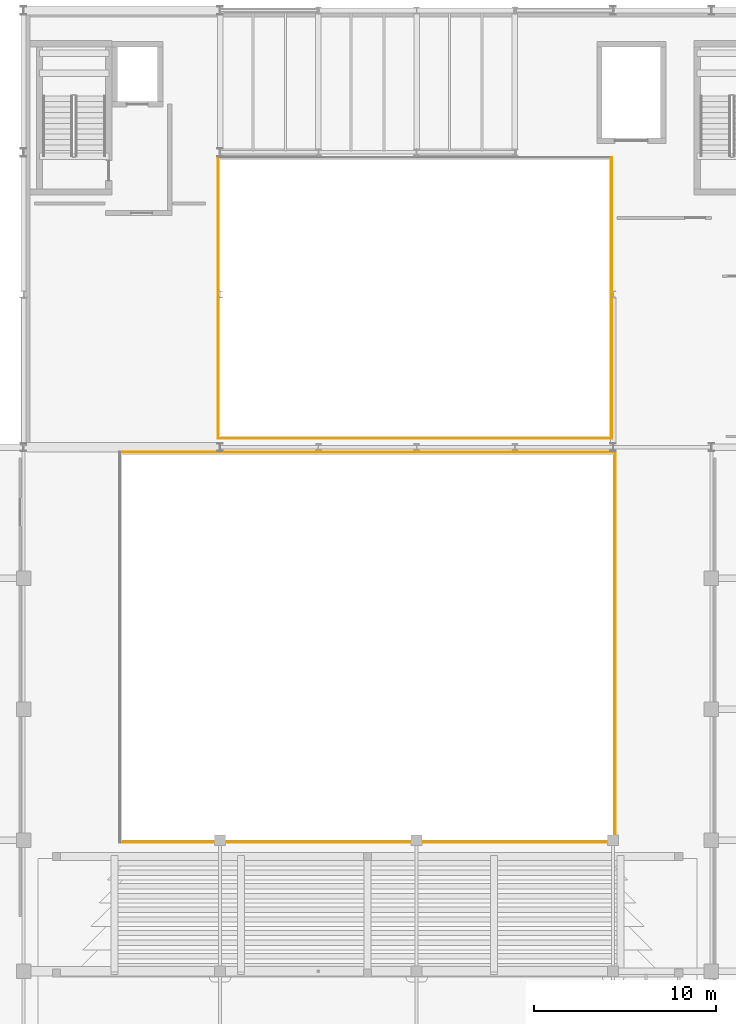
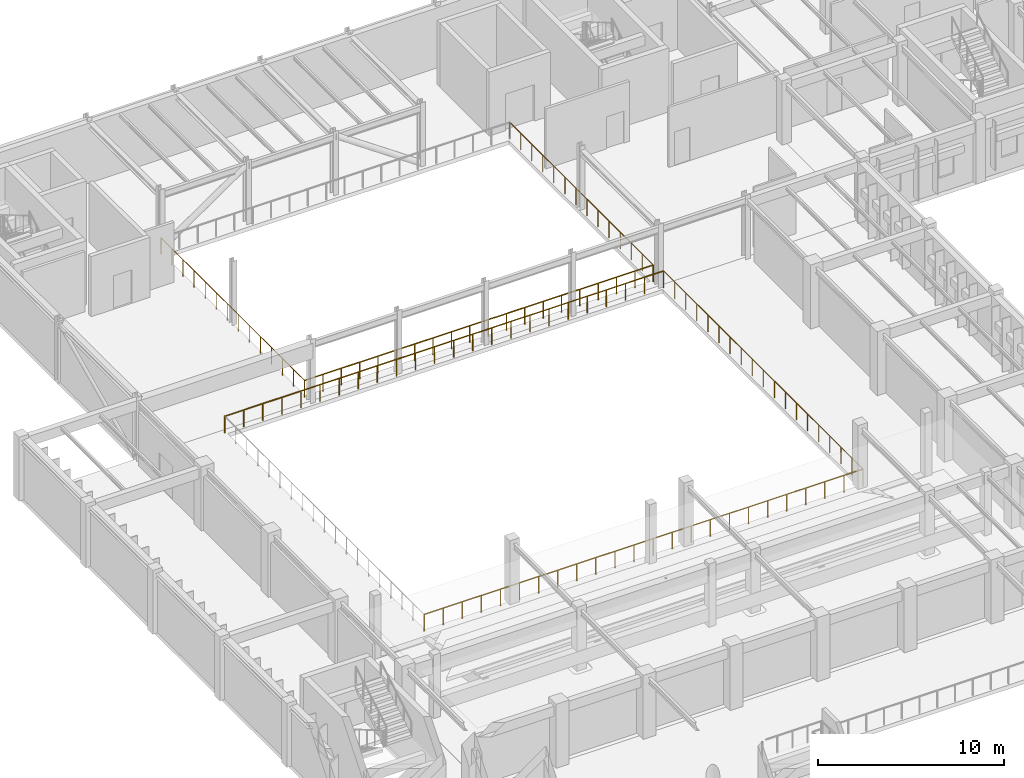
# One storey, part 117 of 122: 6 railings.
"""IFC4 building model written with IfcOpenShell, lengths in metres."""

from ifc_helpers import new_model, si_unit, direction, frame, origin, origin_2d, place, context, subcontext, project, spatial, circle, extrude, material, material_profile, profile_set, type_object, element, save


model = new_model("IFC4")

# Units and contexts
model_context = context("Model", 3, precision=1e-05, world=origin(), true_north=direction((0.0, 1.0)))
body_context = subcontext(model_context, "Body", "Model", "MODEL_VIEW")
ifc_project = project(units=[si_unit("LENGTHUNIT", "METRE"), si_unit("AREAUNIT", "SQUARE_METRE"), si_unit("VOLUMEUNIT", "CUBIC_METRE"), si_unit("PLANEANGLEUNIT", "RADIAN"), si_unit("MASSUNIT", "GRAM", prefix="KILO")], contexts=[model_context])

# Site, building, storey
site_placement = place(None, origin())
site = spatial("IfcSite", under=ifc_project, at=site_placement, CompositionType="ELEMENT")
building_placement = place(site_placement, origin())
building = spatial("IfcBuilding", under=site, at=building_placement, Name="Tazoul Stagehouse", CompositionType="ELEMENT")
storey_placement = place(building_placement, frame((0.0, 0.0, 4.800048828125)))
storey = spatial("IfcBuildingStorey", under=building, at=storey_placement, Name="L01", CompositionType="ELEMENT", Elevation=4.800048828125)

# Railings
ifc_material = material(Name="Brushed Stainless Steel 316L", Category="steel")
ifc_material_profile = material_profile(ifc_material, circle(Radius=0.02392578125, at=origin_2d()), Name="SS RAIL D48")
ifc_profile_set = profile_set([ifc_material_profile], Name="Brushed Stainless Steel 316L")
railing_type = type_object("IfcRailingType", Name="Architectural Guardrail H1120", PredefinedType="GUARDRAIL", material=ifc_profile_set)
railing_1_placement = place(storey_placement, frame((62.8798828125, 66.080078125, 0.0)))
element("IfcRailing", 1, at=railing_1_placement, inside=storey, type_object=railing_type, Name="L01 Open-Edge Guard GRD-01 (GRD-VOID1-S1)", PredefinedType="GUARDRAIL", context=body_context, shape_type="SweptSolid", body=[
    extrude(circle(Radius=0.02392578125, at=origin_2d()), frame((0.0, 0.0, 1.09619140625), z_axis=(1.0, 0.0, 0.0), x_axis=(0.0, 1.0, 0.0)), (0.0, 0.0, 1.0), 27.240234375),
    extrude(circle(Radius=0.02099609375, at=origin_2d()), origin(), (0.0, 0.0, 1.0), 1.072021484375),
    extrude(circle(Radius=0.02099609375, at=origin_2d()), frame((1.184326171875, 0.0, 0.0)), (0.0, 0.0, 1.0), 1.072021484375),
    extrude(circle(Radius=0.02099609375, at=origin_2d()), frame((2.36865234375, 0.0, 0.0)), (0.0, 0.0, 1.0), 1.072021484375),
    extrude(circle(Radius=0.02099609375, at=origin_2d()), frame((3.552978515625, 0.0, 0.0)), (0.0, 0.0, 1.0), 1.072021484375),
    extrude(circle(Radius=0.02099609375, at=origin_2d()), frame((4.737548828125, 0.0, 0.0)), (0.0, 0.0, 1.0), 1.072021484375),
    extrude(circle(Radius=0.02099609375, at=origin_2d()), frame((5.921875, 0.0, 0.0)), (0.0, 0.0, 1.0), 1.072021484375),
    extrude(circle(Radius=0.02099609375, at=origin_2d()), frame((7.106201171875, 0.0, 0.0)), (0.0, 0.0, 1.0), 1.072021484375),
    extrude(circle(Radius=0.02099609375, at=origin_2d()), frame((8.29052734375, 0.0, 0.0)), (0.0, 0.0, 1.0), 1.072021484375),
    extrude(circle(Radius=0.02099609375, at=origin_2d()), frame((9.474853515625, 0.0, 0.0)), (0.0, 0.0, 1.0), 1.072021484375),
    extrude(circle(Radius=0.02099609375, at=origin_2d()), frame((10.6591796875, 0.0, 0.0)), (0.0, 0.0, 1.0), 1.072021484375),
    extrude(circle(Radius=0.02099609375, at=origin_2d()), frame((11.843505859375, 0.0, 0.0)), (0.0, 0.0, 1.0), 1.072021484375),
    extrude(circle(Radius=0.02099609375, at=origin_2d()), frame((13.02783203125, 0.0, 0.0)), (0.0, 0.0, 1.0), 1.072021484375),
    extrude(circle(Radius=0.02099609375, at=origin_2d()), frame((14.21240234375, 0.0, 0.0)), (0.0, 0.0, 1.0), 1.072021484375),
    extrude(circle(Radius=0.02099609375, at=origin_2d()), frame((15.396728515625, 0.0, 0.0)), (0.0, 0.0, 1.0), 1.072021484375),
    extrude(circle(Radius=0.02099609375, at=origin_2d()), frame((16.5810546875, 0.0, 0.0)), (0.0, 0.0, 1.0), 1.072021484375),
    extrude(circle(Radius=0.02099609375, at=origin_2d()), frame((17.765380859375, 0.0, 0.0)), (0.0, 0.0, 1.0), 1.072021484375),
    extrude(circle(Radius=0.02099609375, at=origin_2d()), frame((18.94970703125, 0.0, 0.0)), (0.0, 0.0, 1.0), 1.072021484375),
    extrude(circle(Radius=0.02099609375, at=origin_2d()), frame((20.134033203125, 0.0, 0.0)), (0.0, 0.0, 1.0), 1.072021484375),
    extrude(circle(Radius=0.02099609375, at=origin_2d()), frame((21.318359375, 0.0, 0.0)), (0.0, 0.0, 1.0), 1.072021484375),
    extrude(circle(Radius=0.02099609375, at=origin_2d()), frame((22.502685546875, 0.0, 0.0)), (0.0, 0.0, 1.0), 1.072021484375),
    extrude(circle(Radius=0.02099609375, at=origin_2d()), frame((23.687255859375, 0.0, 0.0)), (0.0, 0.0, 1.0), 1.072021484375),
    extrude(circle(Radius=0.02099609375, at=origin_2d()), frame((24.87158203125, 0.0, 0.0)), (0.0, 0.0, 1.0), 1.072021484375),
    extrude(circle(Radius=0.02099609375, at=origin_2d()), frame((26.055908203125, 0.0, 0.0)), (0.0, 0.0, 1.0), 1.072021484375),
    extrude(circle(Radius=0.02099609375, at=origin_2d()), frame((27.240234375, 0.0, 0.0)), (0.0, 0.0, 1.0), 1.072021484375),
])
railing_2_placement = place(storey_placement, frame((90.1201171875, 66.080078125, 0.0)))
element("IfcRailing", 2, at=railing_2_placement, inside=storey, type_object=railing_type, Name="L01 Open-Edge Guard GRD-01 (GRD-VOID1-E1)", PredefinedType="GUARDRAIL", context=body_context, shape_type="SweptSolid", body=[
    extrude(circle(Radius=0.02392578125, at=origin_2d()), frame((0.0, 0.0, 1.09619140625), z_axis=(0.0, 1.0, 0.0), x_axis=(-1.0, 0.0, 0.0)), (0.0, 0.0, 1.0), 21.43994140625),
    extrude(circle(Radius=0.02099609375, at=origin_2d()), origin(), (0.0, 0.0, 1.0), 1.072021484375),
    extrude(circle(Radius=0.02099609375, at=origin_2d()), frame((0.0, 1.191162109375, 0.0)), (0.0, 0.0, 1.0), 1.072021484375),
    extrude(circle(Radius=0.02099609375, at=origin_2d()), frame((0.0, 2.38232421875, 0.0)), (0.0, 0.0, 1.0), 1.072021484375),
    extrude(circle(Radius=0.02099609375, at=origin_2d()), frame((0.0, 3.5732421875, 0.0)), (0.0, 0.0, 1.0), 1.072021484375),
    extrude(circle(Radius=0.02099609375, at=origin_2d()), frame((0.0, 4.764404296875, 0.0)), (0.0, 0.0, 1.0), 1.072021484375),
    extrude(circle(Radius=0.02099609375, at=origin_2d()), frame((0.0, 5.95556640625, 0.0)), (0.0, 0.0, 1.0), 1.072021484375),
    extrude(circle(Radius=0.02099609375, at=origin_2d()), frame((0.0, 7.146728515625, 0.0)), (0.0, 0.0, 1.0), 1.072021484375),
    extrude(circle(Radius=0.02099609375, at=origin_2d()), frame((0.0, 8.337646484375, 0.0)), (0.0, 0.0, 1.0), 1.072021484375),
    extrude(circle(Radius=0.02099609375, at=origin_2d()), frame((0.0, 9.52880859375, 0.0)), (0.0, 0.0, 1.0), 1.072021484375),
    extrude(circle(Radius=0.02099609375, at=origin_2d()), frame((0.0, 10.719970703125, 0.0)), (0.0, 0.0, 1.0), 1.072021484375),
    extrude(circle(Radius=0.02099609375, at=origin_2d()), frame((0.0, 11.9111328125, 0.0)), (0.0, 0.0, 1.0), 1.072021484375),
    extrude(circle(Radius=0.02099609375, at=origin_2d()), frame((0.0, 13.102294921875, 0.0)), (0.0, 0.0, 1.0), 1.072021484375),
    extrude(circle(Radius=0.02099609375, at=origin_2d()), frame((0.0, 14.293212890625, 0.0)), (0.0, 0.0, 1.0), 1.072021484375),
    extrude(circle(Radius=0.02099609375, at=origin_2d()), frame((0.0, 15.484375, 0.0)), (0.0, 0.0, 1.0), 1.072021484375),
    extrude(circle(Radius=0.02099609375, at=origin_2d()), frame((0.0, 16.675537109375, 0.0)), (0.0, 0.0, 1.0), 1.072021484375),
    extrude(circle(Radius=0.02099609375, at=origin_2d()), frame((0.0, 17.86669921875, 0.0)), (0.0, 0.0, 1.0), 1.072021484375),
    extrude(circle(Radius=0.02099609375, at=origin_2d()), frame((0.0, 19.0576171875, 0.0)), (0.0, 0.0, 1.0), 1.072021484375),
    extrude(circle(Radius=0.02099609375, at=origin_2d()), frame((0.0, 20.248779296875, 0.0)), (0.0, 0.0, 1.0), 1.072021484375),
    extrude(circle(Radius=0.02099609375, at=origin_2d()), frame((0.0, 21.43994140625, 0.0)), (0.0, 0.0, 1.0), 1.072021484375),
])
railing_3_placement = place(storey_placement, frame((90.1201171875, 87.52001953125, 0.0)))
element("IfcRailing", 3, at=railing_3_placement, inside=storey, type_object=railing_type, Name="L01 Open-Edge Guard GRD-01 (GRD-VOID1-N1)", PredefinedType="GUARDRAIL", context=body_context, shape_type="SweptSolid", body=[
    extrude(circle(Radius=0.02392578125, at=origin_2d()), frame((0.0, 0.0, 1.09619140625), z_axis=(-1.0, 0.0, 0.0), x_axis=(0.0, -1.0, 0.0)), (0.0, 0.0, 1.0), 27.240234375),
    extrude(circle(Radius=0.02099609375, at=origin_2d()), origin(), (0.0, 0.0, 1.0), 1.072021484375),
    extrude(circle(Radius=0.02099609375, at=origin_2d()), frame((-1.184326171875, 0.0, 0.0)), (0.0, 0.0, 1.0), 1.072021484375),
    extrude(circle(Radius=0.02099609375, at=origin_2d()), frame((-2.36865234375, 0.0, 0.0)), (0.0, 0.0, 1.0), 1.072021484375),
    extrude(circle(Radius=0.02099609375, at=origin_2d()), frame((-3.552978515625, 0.0, 0.0)), (0.0, 0.0, 1.0), 1.072021484375),
    extrude(circle(Radius=0.02099609375, at=origin_2d()), frame((-4.737548828125, 0.0, 0.0)), (0.0, 0.0, 1.0), 1.072021484375),
    extrude(circle(Radius=0.02099609375, at=origin_2d()), frame((-5.921875, 0.0, 0.0)), (0.0, 0.0, 1.0), 1.072021484375),
    extrude(circle(Radius=0.02099609375, at=origin_2d()), frame((-7.106201171875, 0.0, 0.0)), (0.0, 0.0, 1.0), 1.072021484375),
    extrude(circle(Radius=0.02099609375, at=origin_2d()), frame((-8.29052734375, 0.0, 0.0)), (0.0, 0.0, 1.0), 1.072021484375),
    extrude(circle(Radius=0.02099609375, at=origin_2d()), frame((-9.474853515625, 0.0, 0.0)), (0.0, 0.0, 1.0), 1.072021484375),
    extrude(circle(Radius=0.02099609375, at=origin_2d()), frame((-10.6591796875, 0.0, 0.0)), (0.0, 0.0, 1.0), 1.072021484375),
    extrude(circle(Radius=0.02099609375, at=origin_2d()), frame((-11.843505859375, 0.0, 0.0)), (0.0, 0.0, 1.0), 1.072021484375),
    extrude(circle(Radius=0.02099609375, at=origin_2d()), frame((-13.02783203125, 0.0, 0.0)), (0.0, 0.0, 1.0), 1.072021484375),
    extrude(circle(Radius=0.02099609375, at=origin_2d()), frame((-14.21240234375, 0.0, 0.0)), (0.0, 0.0, 1.0), 1.072021484375),
    extrude(circle(Radius=0.02099609375, at=origin_2d()), frame((-15.396728515625, 0.0, 0.0)), (0.0, 0.0, 1.0), 1.072021484375),
    extrude(circle(Radius=0.02099609375, at=origin_2d()), frame((-16.5810546875, 0.0, 0.0)), (0.0, 0.0, 1.0), 1.072021484375),
    extrude(circle(Radius=0.02099609375, at=origin_2d()), frame((-17.765380859375, 0.0, 0.0)), (0.0, 0.0, 1.0), 1.072021484375),
    extrude(circle(Radius=0.02099609375, at=origin_2d()), frame((-18.94970703125, 0.0, 0.0)), (0.0, 0.0, 1.0), 1.072021484375),
    extrude(circle(Radius=0.02099609375, at=origin_2d()), frame((-20.134033203125, 0.0, 0.0)), (0.0, 0.0, 1.0), 1.072021484375),
    extrude(circle(Radius=0.02099609375, at=origin_2d()), frame((-21.318359375, 0.0, 0.0)), (0.0, 0.0, 1.0), 1.072021484375),
    extrude(circle(Radius=0.02099609375, at=origin_2d()), frame((-22.502685546875, 0.0, 0.0)), (0.0, 0.0, 1.0), 1.072021484375),
    extrude(circle(Radius=0.02099609375, at=origin_2d()), frame((-23.687255859375, 0.0, 0.0)), (0.0, 0.0, 1.0), 1.072021484375),
    extrude(circle(Radius=0.02099609375, at=origin_2d()), frame((-24.87158203125, 0.0, 0.0)), (0.0, 0.0, 1.0), 1.072021484375),
    extrude(circle(Radius=0.02099609375, at=origin_2d()), frame((-26.055908203125, 0.0, 0.0)), (0.0, 0.0, 1.0), 1.072021484375),
    extrude(circle(Radius=0.02099609375, at=origin_2d()), frame((-27.240234375, 0.0, 0.0)), (0.0, 0.0, 1.0), 1.072021484375),
])
railing_4_placement = place(storey_placement, frame((68.280029296875, 88.280029296875, 0.0)))
element("IfcRailing", 4, at=railing_4_placement, inside=storey, type_object=railing_type, Name="L01 Open-Edge Guard GRD-01 (GRD-VOID2-S1)", PredefinedType="GUARDRAIL", context=body_context, shape_type="SweptSolid", body=[
    extrude(circle(Radius=0.02392578125, at=origin_2d()), frame((0.0, 0.0, 1.09619140625), z_axis=(1.0, 0.0, 0.0), x_axis=(0.0, 1.0, 0.0)), (0.0, 0.0, 1.0), 21.639892578125),
    extrude(circle(Radius=0.02099609375, at=origin_2d()), origin(), (0.0, 0.0, 1.0), 1.072021484375),
    extrude(circle(Radius=0.02099609375, at=origin_2d()), frame((1.138916015625, 0.0, 0.0)), (0.0, 0.0, 1.0), 1.072021484375),
    extrude(circle(Radius=0.02099609375, at=origin_2d()), frame((2.27783203125, 0.0, 0.0)), (0.0, 0.0, 1.0), 1.072021484375),
    extrude(circle(Radius=0.02099609375, at=origin_2d()), frame((3.416748046875, 0.0, 0.0)), (0.0, 0.0, 1.0), 1.072021484375),
    extrude(circle(Radius=0.02099609375, at=origin_2d()), frame((4.5556640625, 0.0, 0.0)), (0.0, 0.0, 1.0), 1.072021484375),
    extrude(circle(Radius=0.02099609375, at=origin_2d()), frame((5.69482421875, 0.0, 0.0)), (0.0, 0.0, 1.0), 1.072021484375),
    extrude(circle(Radius=0.02099609375, at=origin_2d()), frame((6.833740234375, 0.0, 0.0)), (0.0, 0.0, 1.0), 1.072021484375),
    extrude(circle(Radius=0.02099609375, at=origin_2d()), frame((7.97265625, 0.0, 0.0)), (0.0, 0.0, 1.0), 1.072021484375),
    extrude(circle(Radius=0.02099609375, at=origin_2d()), frame((9.111572265625, 0.0, 0.0)), (0.0, 0.0, 1.0), 1.072021484375),
    extrude(circle(Radius=0.02099609375, at=origin_2d()), frame((10.25048828125, 0.0, 0.0)), (0.0, 0.0, 1.0), 1.072021484375),
    extrude(circle(Radius=0.02099609375, at=origin_2d()), frame((11.389404296875, 0.0, 0.0)), (0.0, 0.0, 1.0), 1.072021484375),
    extrude(circle(Radius=0.02099609375, at=origin_2d()), frame((12.5283203125, 0.0, 0.0)), (0.0, 0.0, 1.0), 1.072021484375),
    extrude(circle(Radius=0.02099609375, at=origin_2d()), frame((13.667236328125, 0.0, 0.0)), (0.0, 0.0, 1.0), 1.072021484375),
    extrude(circle(Radius=0.02099609375, at=origin_2d()), frame((14.80615234375, 0.0, 0.0)), (0.0, 0.0, 1.0), 1.072021484375),
    extrude(circle(Radius=0.02099609375, at=origin_2d()), frame((15.945068359375, 0.0, 0.0)), (0.0, 0.0, 1.0), 1.072021484375),
    extrude(circle(Radius=0.02099609375, at=origin_2d()), frame((17.084228515625, 0.0, 0.0)), (0.0, 0.0, 1.0), 1.072021484375),
    extrude(circle(Radius=0.02099609375, at=origin_2d()), frame((18.22314453125, 0.0, 0.0)), (0.0, 0.0, 1.0), 1.072021484375),
    extrude(circle(Radius=0.02099609375, at=origin_2d()), frame((19.362060546875, 0.0, 0.0)), (0.0, 0.0, 1.0), 1.072021484375),
    extrude(circle(Radius=0.02099609375, at=origin_2d()), frame((20.5009765625, 0.0, 0.0)), (0.0, 0.0, 1.0), 1.072021484375),
    extrude(circle(Radius=0.02099609375, at=origin_2d()), frame((21.639892578125, 0.0, 0.0)), (0.0, 0.0, 1.0), 1.072021484375),
])
railing_5_placement = place(storey_placement, frame((89.919921875, 88.280029296875, 0.0)))
element("IfcRailing", 5, at=railing_5_placement, inside=storey, type_object=railing_type, Name="L01 Open-Edge Guard GRD-01 (GRD-VOID2-E1)", PredefinedType="GUARDRAIL", context=body_context, shape_type="SweptSolid", body=[
    extrude(circle(Radius=0.02392578125, at=origin_2d()), frame((0.0, 0.0, 1.09619140625), z_axis=(0.0, 1.0, 0.0), x_axis=(-1.0, 0.0, 0.0)), (0.0, 0.0, 1.0), 15.43994140625),
    extrude(circle(Radius=0.02099609375, at=origin_2d()), origin(), (0.0, 0.0, 1.0), 1.072021484375),
    extrude(circle(Radius=0.02099609375, at=origin_2d()), frame((0.0, 1.187744140625, 0.0)), (0.0, 0.0, 1.0), 1.072021484375),
    extrude(circle(Radius=0.02099609375, at=origin_2d()), frame((0.0, 2.37548828125, 0.0)), (0.0, 0.0, 1.0), 1.072021484375),
    extrude(circle(Radius=0.02099609375, at=origin_2d()), frame((0.0, 3.56298828125, 0.0)), (0.0, 0.0, 1.0), 1.072021484375),
    extrude(circle(Radius=0.02099609375, at=origin_2d()), frame((0.0, 4.750732421875, 0.0)), (0.0, 0.0, 1.0), 1.072021484375),
    extrude(circle(Radius=0.02099609375, at=origin_2d()), frame((0.0, 5.9384765625, 0.0)), (0.0, 0.0, 1.0), 1.072021484375),
    extrude(circle(Radius=0.02099609375, at=origin_2d()), frame((0.0, 7.126220703125, 0.0)), (0.0, 0.0, 1.0), 1.072021484375),
    extrude(circle(Radius=0.02099609375, at=origin_2d()), frame((0.0, 8.313720703125, 0.0)), (0.0, 0.0, 1.0), 1.072021484375),
    extrude(circle(Radius=0.02099609375, at=origin_2d()), frame((0.0, 9.50146484375, 0.0)), (0.0, 0.0, 1.0), 1.072021484375),
    extrude(circle(Radius=0.02099609375, at=origin_2d()), frame((0.0, 10.689208984375, 0.0)), (0.0, 0.0, 1.0), 1.072021484375),
    extrude(circle(Radius=0.02099609375, at=origin_2d()), frame((0.0, 11.876953125, 0.0)), (0.0, 0.0, 1.0), 1.072021484375),
    extrude(circle(Radius=0.02099609375, at=origin_2d()), frame((0.0, 13.064453125, 0.0)), (0.0, 0.0, 1.0), 1.072021484375),
    extrude(circle(Radius=0.02099609375, at=origin_2d()), frame((0.0, 14.252197265625, 0.0)), (0.0, 0.0, 1.0), 1.072021484375),
    extrude(circle(Radius=0.02099609375, at=origin_2d()), frame((0.0, 15.43994140625, 0.0)), (0.0, 0.0, 1.0), 1.072021484375),
])
railing_6_placement = place(storey_placement, frame((68.280029296875, 103.719970703125, 0.0)))
element("IfcRailing", 6, at=railing_6_placement, inside=storey, type_object=railing_type, Name="L01 Open-Edge Guard GRD-01 (GRD-VOID2-W1)", PredefinedType="GUARDRAIL", context=body_context, shape_type="SweptSolid", body=[
    extrude(circle(Radius=0.02392578125, at=origin_2d()), frame((0.0, 0.0, 1.09619140625), z_axis=(0.0, -1.0, 0.0), x_axis=(1.0, 0.0, 0.0)), (0.0, 0.0, 1.0), 15.43994140625),
    extrude(circle(Radius=0.02099609375, at=origin_2d()), origin(), (0.0, 0.0, 1.0), 1.072021484375),
    extrude(circle(Radius=0.02099609375, at=origin_2d()), frame((0.0, -1.187744140625, 0.0)), (0.0, 0.0, 1.0), 1.072021484375),
    extrude(circle(Radius=0.02099609375, at=origin_2d()), frame((0.0, -2.37548828125, 0.0)), (0.0, 0.0, 1.0), 1.072021484375),
    extrude(circle(Radius=0.02099609375, at=origin_2d()), frame((0.0, -3.56298828125, 0.0)), (0.0, 0.0, 1.0), 1.072021484375),
    extrude(circle(Radius=0.02099609375, at=origin_2d()), frame((0.0, -4.750732421875, 0.0)), (0.0, 0.0, 1.0), 1.072021484375),
    extrude(circle(Radius=0.02099609375, at=origin_2d()), frame((0.0, -5.9384765625, 0.0)), (0.0, 0.0, 1.0), 1.072021484375),
    extrude(circle(Radius=0.02099609375, at=origin_2d()), frame((0.0, -7.126220703125, 0.0)), (0.0, 0.0, 1.0), 1.072021484375),
    extrude(circle(Radius=0.02099609375, at=origin_2d()), frame((0.0, -8.313720703125, 0.0)), (0.0, 0.0, 1.0), 1.072021484375),
    extrude(circle(Radius=0.02099609375, at=origin_2d()), frame((0.0, -9.50146484375, 0.0)), (0.0, 0.0, 1.0), 1.072021484375),
    extrude(circle(Radius=0.02099609375, at=origin_2d()), frame((0.0, -10.689208984375, 0.0)), (0.0, 0.0, 1.0), 1.072021484375),
    extrude(circle(Radius=0.02099609375, at=origin_2d()), frame((0.0, -11.876953125, 0.0)), (0.0, 0.0, 1.0), 1.072021484375),
    extrude(circle(Radius=0.02099609375, at=origin_2d()), frame((0.0, -13.064453125, 0.0)), (0.0, 0.0, 1.0), 1.072021484375),
    extrude(circle(Radius=0.02099609375, at=origin_2d()), frame((0.0, -14.252197265625, 0.0)), (0.0, 0.0, 1.0), 1.072021484375),
    extrude(circle(Radius=0.02099609375, at=origin_2d()), frame((0.0, -15.43994140625, 0.0)), (0.0, 0.0, 1.0), 1.072021484375),
])

save(model, "model.ifc")
